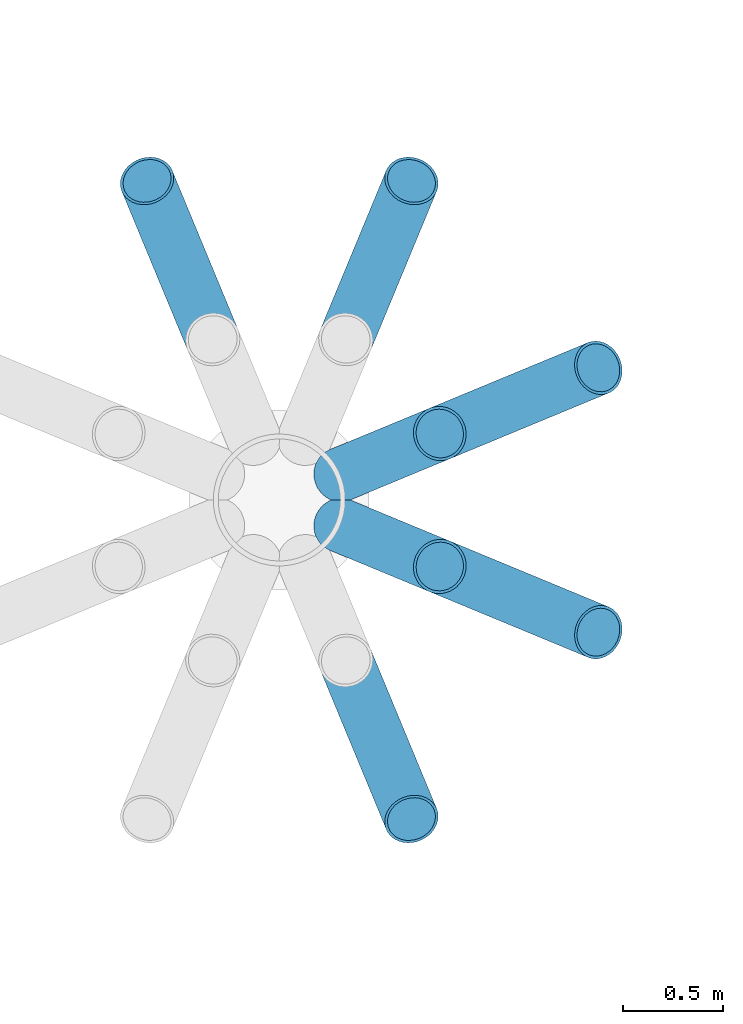
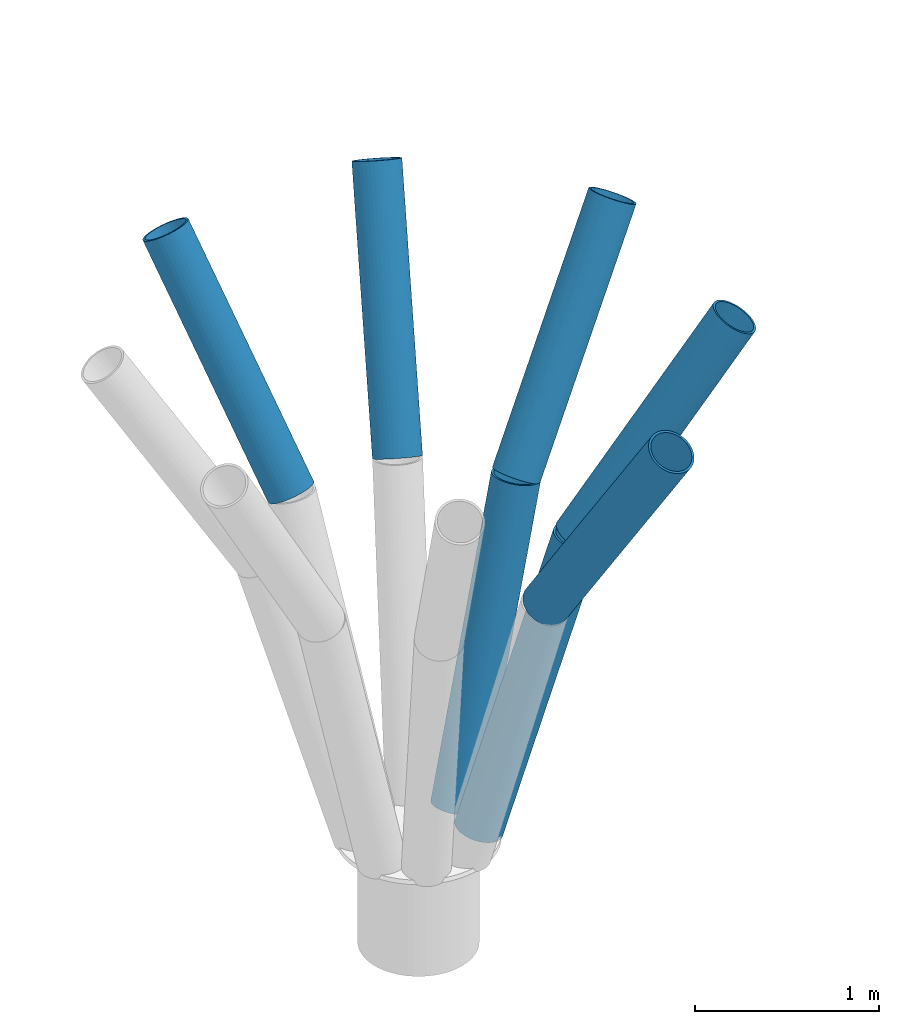
# One storey, part 13 of 42: 7 members.
"""IFC4 building model written with IfcOpenShell, lengths in metres."""

from ifc_helpers import new_model, si_unit, direction, frame, origin, origin_2d, place, context, subcontext, project, spatial, hollow_circle, extrude, material, material_profile, profile_set, type_object, element, save


model = new_model("IFC4")

# Units and contexts
model_context = context("Model", 3, precision=1e-05, world=origin(), true_north=direction((0.0, 1.0)))
body_context = subcontext(model_context, "Body", "Model", "MODEL_VIEW")
ifc_project = project(units=[si_unit("LENGTHUNIT", "METRE"), si_unit("AREAUNIT", "SQUARE_METRE"), si_unit("VOLUMEUNIT", "CUBIC_METRE"), si_unit("PLANEANGLEUNIT", "RADIAN"), si_unit("MASSUNIT", "GRAM", prefix="KILO")], contexts=[model_context])

# Site, building, storey
site_placement = place(None, origin())
site = spatial("IfcSite", under=ifc_project, at=site_placement, CompositionType="ELEMENT")
building_placement = place(site_placement, origin())
building = spatial("IfcBuilding", under=site, at=building_placement, Name="Magnolia Steps Interchange", CompositionType="ELEMENT")
storey_placement = place(building_placement, frame((0.0, 0.0, 12.60009765625)))
storey = spatial("IfcBuildingStorey", under=building, at=storey_placement, Name="L03", CompositionType="ELEMENT", Elevation=12.60009765625)

# Members
ifc_material = material(Name="Steel Q355B", Category="steel")
ifc_material_profile = material_profile(ifc_material, hollow_circle(Radius=0.136474609375, WallThickness=0.013916015625, at=origin_2d()), Name="CHS273x14")
ifc_profile_set = profile_set([ifc_material_profile], Name="Steel Q355B")
member_type = type_object("IfcMemberType", Name="Tree rib CHS273x14", PredefinedType="USERDEFINED", material=ifc_profile_set)
member_1_placement = place(storey_placement, frame((118.304931640625, 85.726318359375, 0.72119140625), z_axis=(0.254665183401, 0.10543463007, 0.961264366938), x_axis=(-0.382525049986, 0.923945120737, 0.0)))
element("IfcMember", 1, at=member_1_placement, inside=storey, type_object=member_type, Name="Tree rib TH07E", ObjectType="TREE RIB", PredefinedType="USERDEFINED", context=body_context, shape_type="SweptSolid", body=[
    extrude(hollow_circle(Radius=0.136474609375, WallThickness=0.013916015625, at=origin_2d()), origin(), (0.0, 0.0, 1.0), 1.95654296875),
])
for number, where, z_axis, x_axis, name in (
    (2, (118.80322265625, 85.9326171875, 2.60205078125), (0.489571014481, 0.202820124805, 0.848047297475), (-0.382736860682, 0.923857399968, 0.0), "Tree rib TH07E"),
    (3, (118.332763671875, 86.4033203125, 2.60205078125), (0.202835086264, 0.489456434015, 0.848109855491), (-0.923815729635, 0.38283742983, 0.0), "Tree rib TH07E"),
    (4, (117.667236328125, 86.4033203125, 2.60205078125), (-0.202835086264, 0.489456434015, 0.848109855491), (-0.923815729635, -0.38283742983, 0.0), "Tree rib TH07E"),
    (5, (118.332763671875, 84.796875, 2.60205078125), (0.202820124805, -0.489571014481, 0.848047297475), (0.923857399968, 0.382736860682, 0.0), "Tree rib TH07E"),
):
    element("IfcMember", number, at=place(storey_placement, frame(where, z_axis=z_axis, x_axis=x_axis)), inside=storey, type_object=member_type, Name=name, ObjectType="TREE RIB", PredefinedType="USERDEFINED", context=body_context, shape_type="SweptSolid", body=[
        extrude(hollow_circle(Radius=0.136474609375, WallThickness=0.013916015625, at=origin_2d()), origin(), (0.0, 0.0, 1.0), 1.6201171875),
    ])
member_2_placement = place(storey_placement, frame((118.304931640625, 85.4736328125, 0.72119140625), z_axis=(0.254665183401, -0.10543463007, 0.961264366938), x_axis=(0.382525049986, 0.923945120737, 0.0)))
element("IfcMember", 6, at=member_2_placement, inside=storey, type_object=member_type, Name="Tree rib TH07E", ObjectType="TREE RIB", PredefinedType="USERDEFINED", context=body_context, shape_type="SweptSolid", body=[
    extrude(hollow_circle(Radius=0.136474609375, WallThickness=0.013916015625, at=origin_2d()), origin(), (0.0, 0.0, 1.0), 1.95654296875),
])
member_3_placement = place(storey_placement, frame((118.80322265625, 85.267333984375, 2.60205078125), z_axis=(0.489571014481, -0.202820124805, 0.848047297475), x_axis=(0.382736860682, 0.923857399968, 0.0)))
element("IfcMember", 7, at=member_3_placement, inside=storey, type_object=member_type, Name="Tree rib TH07E", ObjectType="TREE RIB", PredefinedType="USERDEFINED", context=body_context, shape_type="SweptSolid", body=[
    extrude(hollow_circle(Radius=0.136474609375, WallThickness=0.013916015625, at=origin_2d()), origin(), (0.0, 0.0, 1.0), 1.6201171875),
])

save(model, "model.ifc")
